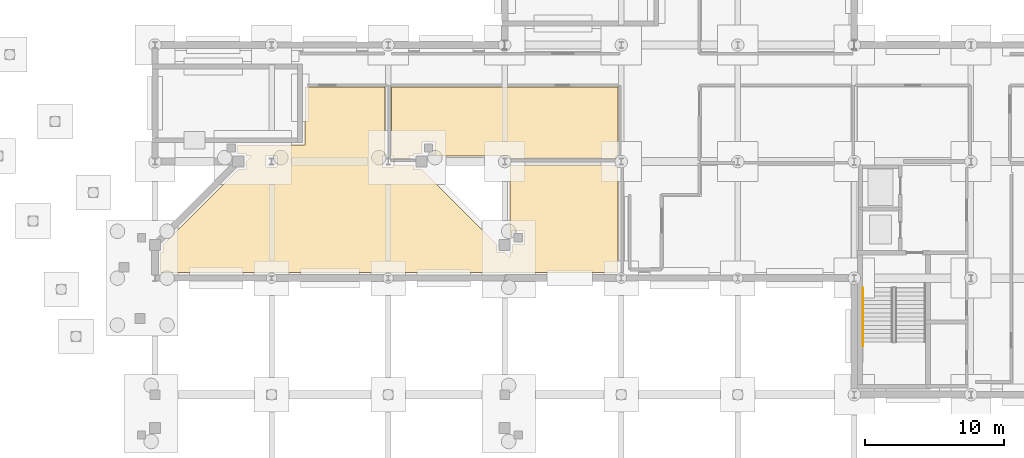
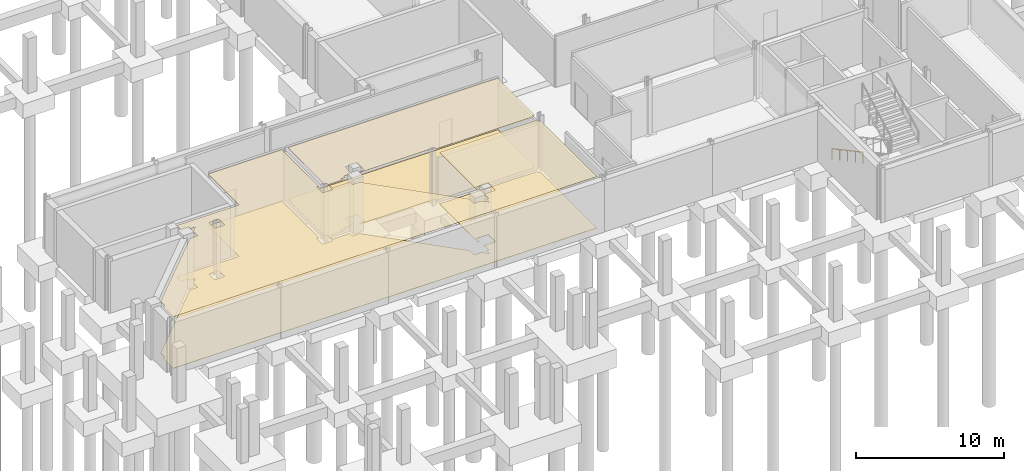
# One storey, part 35 of 43: 4 coverings, 1 railing.
"""IFC4 building model written with IfcOpenShell, lengths in metres."""

from ifc_helpers import new_model, si_unit, direction, frame, origin, origin_2d, place, context, subcontext, project, spatial, polyline, circle, outline, extrude, material, layer, layer_set, type_object, element, save


model = new_model("IFC4")

# Units and contexts
model_context = context("Model", 3, precision=1e-05, world=origin(), true_north=direction((0.0, 1.0)))
body_context = subcontext(model_context, "Body", "Model", "MODEL_VIEW")
ifc_project = project(units=[si_unit("LENGTHUNIT", "METRE"), si_unit("AREAUNIT", "SQUARE_METRE"), si_unit("VOLUMEUNIT", "CUBIC_METRE"), si_unit("PLANEANGLEUNIT", "RADIAN"), si_unit("MASSUNIT", "GRAM", prefix="KILO")], contexts=[model_context])

# Site, building, storey
site_placement = place(None, origin())
site = spatial("IfcSite", under=ifc_project, at=site_placement, CompositionType="ELEMENT")
building_placement = place(site_placement, origin())
building = spatial("IfcBuilding", under=site, at=building_placement, Name="Mersafa Astral City Hall", CompositionType="ELEMENT")
storey_placement = place(building_placement, frame((0.0, 0.0, -4.5)))
storey = spatial("IfcBuildingStorey", under=building, at=storey_placement, Name="B1", CompositionType="ELEMENT", Elevation=-4.5)

# Railing
ifc_material_1 = material(Name="Brushed stainless steel tubular handrail", Category="steel")
railing_type = type_object("IfcRailingType", Name="HANDRAIL", PredefinedType="HANDRAIL", material=ifc_material_1)
railing_placement = place(storey_placement, frame((118.22998046875, 16.10009765625, 0.16064453125)))
element("IfcRailing", 1, at=railing_placement, inside=storey, type_object=railing_type, Name="B1 ST5 stair handrail 1", PredefinedType="HANDRAIL", context=body_context, shape_type="SweptSolid", body=[
    extrude(circle(Radius=0.02392578125, at=origin_2d()), frame((0.0, 0.0, 0.8759765625), z_axis=(0.0, -0.881211791727, 0.472721670882), x_axis=(1.0, 0.0, 0.0)), (0.0, 0.0, 1.0), 4.766357421875),
    extrude(circle(Radius=0.02099609375, at=origin_2d()), origin(), (0.0, 0.0, 1.0), 0.851806640625),
    extrude(circle(Radius=0.02099609375, at=origin_2d()), frame((0.0, -1.050048828125, 0.563232421875)), (0.0, 0.0, 1.0), 0.851806640625),
    extrude(circle(Radius=0.02099609375, at=origin_2d()), frame((0.0, -2.10009765625, 1.12646484375)), (0.0, 0.0, 1.0), 0.851806640625),
    extrude(circle(Radius=0.02099609375, at=origin_2d()), frame((0.0, -3.150146484375, 1.68994140625)), (0.0, 0.0, 1.0), 0.851806640625),
    extrude(circle(Radius=0.02099609375, at=origin_2d()), frame((0.0, -4.2001953125, 2.253173828125)), (0.0, 0.0, 1.0), 0.851806640625),
])

# Coverings
ifc_material_2 = material(Name="Perforated acoustic gypsum board ceiling", Category="gypsum")
ifc_layer_1 = layer(ifc_material_2, 0.02490234375, Name="Perforated acoustic gypsum board ceiling")
ifc_layer_set_1 = layer_set([ifc_layer_1], Name="Perforated acoustic gypsum board ceiling — INT-COV-CEIL-25")
covering_type_1 = type_object("IfcCoveringType", Name="INT-COV-CEIL-25", PredefinedType="CEILING", material=ifc_layer_set_1)
covering_1_placement = place(storey_placement, frame((0.0, 0.0, 4.23095703125)))
element("IfcCovering", 2, at=covering_1_placement, inside=storey, type_object=covering_type_1, Name="B1 Bicycle & Staff Changing Room B1-10 acoustic ceiling", PredefinedType="CEILING", context=body_context, shape_type="SweptSolid", body=[
    extrude(outline(polyline([(84.39501953125, 25.429931640625), (84.39501953125, 25.594970703125), (84.22998046875, 25.594970703125), (84.22998046875, 30.56005859375), (100.570068359375, 30.56005859375), (100.570068359375, 25.594970703125), (100.405029296875, 25.594970703125), (100.405029296875, 25.429931640625), (92.800048828125, 25.429931640625), (92.800048828125, 25.60009765625), (86.969970703125, 25.60009765625), (86.969970703125, 25.704345703125), (87.38037109375, 25.704345703125), (87.38037109375, 26.644287109375), (86.4404296875, 26.644287109375), (86.4404296875, 25.77001953125), (85.830078125, 25.77001953125), (85.830078125, 25.60009765625), (85.434326171875, 25.60009765625), (85.604248046875, 25.429931640625), (84.39501953125, 25.429931640625)])), origin(), (0.0, 0.0, 1.0), 0.025146484375),
])
covering_2_placement = place(storey_placement, frame((0.0, 0.0, 4.23095703125)))
element("IfcCovering", 3, at=covering_2_placement, inside=storey, type_object=covering_type_1, Name="B1 Bicycle & Staff Changing Room B1-22 acoustic ceiling", PredefinedType="CEILING", context=body_context, shape_type="SweptSolid", body=[
    extrude(outline(polyline([(73.15966796875, 26.3798828125), (78.02001953125, 26.3798828125), (78.02001953125, 30.56005859375), (83.77001953125, 30.56005859375), (83.77001953125, 25.594970703125), (83.60498046875, 25.594970703125), (83.60498046875, 24.804931640625), (84.39501953125, 24.804931640625), (84.39501953125, 25.320068359375), (84.469970703125, 25.320068359375), (84.469970703125, 24.969970703125), (85.830078125, 24.969970703125), (85.830078125, 24.6298828125), (86.404296875, 24.6298828125), (91.830078125, 19.204345703125), (91.830078125, 18.6298828125), (92.404296875, 18.6298828125), (92.800048828125, 18.234375), (92.800048828125, 18.6298828125), (92.969970703125, 18.6298828125), (92.969970703125, 19.240478515625), (93.844482421875, 19.240478515625), (93.844482421875, 20.180419921875), (92.904296875, 20.180419921875), (92.904296875, 19.77001953125), (92.800048828125, 19.77001953125), (92.800048828125, 24.969970703125), (100.405029296875, 24.969970703125), (100.405029296875, 24.804931640625), (100.570068359375, 24.804931640625), (100.570068359375, 17.199951171875), (67.60009765625, 17.199951171875), (67.60009765625, 18.6298828125), (67.77001953125, 18.6298828125), (67.77001953125, 19.204345703125), (73.19580078125, 24.6298828125), (73.77001953125, 24.6298828125), (73.77001953125, 25.204345703125), (74.165771484375, 25.60009765625), (73.77001953125, 25.60009765625), (73.77001953125, 25.77001953125), (73.15966796875, 25.77001953125), (73.15966796875, 26.3798828125)]), holes=[polyline([(75.205078125, 24.804931640625), (75.9951171875, 24.804931640625), (75.9951171875, 25.594970703125), (75.205078125, 25.594970703125), (75.205078125, 24.804931640625)])]), origin(), (0.0, 0.0, 1.0), 0.025146484375),
])
ifc_material_3 = material(Name="Honed Cairo limestone terrazzo flooring", Category="masonry")
ifc_layer_2 = layer(ifc_material_3, 0.02001953125, Name="Honed Cairo limestone terrazzo flooring")
ifc_layer_set_2 = layer_set([ifc_layer_2], Name="Honed Cairo limestone terrazzo flooring — INT-COV-FLR-20")
covering_type_2 = type_object("IfcCoveringType", Name="INT-COV-FLR-20", PredefinedType="FLOORING", material=ifc_layer_set_2)
covering_3_placement = place(storey_placement, frame((0.0, 0.0, -0.00146484375)))
element("IfcCovering", 4, at=covering_3_placement, inside=storey, type_object=covering_type_2, Name="B1 Bicycle & Staff Changing Room B1-10 architectural flooring", PredefinedType="FLOORING", context=body_context, shape_type="SweptSolid", body=[
    extrude(outline(polyline([(84.39501953125, 25.429931640625), (84.39501953125, 25.594970703125), (84.22998046875, 25.594970703125), (84.22998046875, 30.56005859375), (100.570068359375, 30.56005859375), (100.570068359375, 25.594970703125), (100.405029296875, 25.594970703125), (100.405029296875, 25.429931640625), (92.800048828125, 25.429931640625), (92.800048828125, 25.60009765625), (86.969970703125, 25.60009765625), (86.969970703125, 25.704345703125), (87.38037109375, 25.704345703125), (87.38037109375, 26.644287109375), (86.4404296875, 26.644287109375), (86.4404296875, 25.77001953125), (85.830078125, 25.77001953125), (85.830078125, 25.60009765625), (85.434326171875, 25.60009765625), (85.604248046875, 25.429931640625), (84.39501953125, 25.429931640625)])), origin(), (0.0, 0.0, 1.0), 0.02001953125),
])
covering_4_placement = place(storey_placement, frame((0.0, 0.0, -0.00146484375)))
element("IfcCovering", 5, at=covering_4_placement, inside=storey, type_object=covering_type_2, Name="B1 Bicycle & Staff Changing Room B1-22 architectural flooring", PredefinedType="FLOORING", context=body_context, shape_type="SweptSolid", body=[
    extrude(outline(polyline([(73.15966796875, 26.3798828125), (78.02001953125, 26.3798828125), (78.02001953125, 30.56005859375), (83.77001953125, 30.56005859375), (83.77001953125, 25.594970703125), (83.60498046875, 25.594970703125), (83.60498046875, 24.804931640625), (84.39501953125, 24.804931640625), (84.39501953125, 25.320068359375), (84.469970703125, 25.320068359375), (84.469970703125, 24.969970703125), (85.830078125, 24.969970703125), (85.830078125, 24.6298828125), (86.404296875, 24.6298828125), (91.830078125, 19.204345703125), (91.830078125, 18.6298828125), (92.404296875, 18.6298828125), (92.800048828125, 18.234375), (92.800048828125, 18.6298828125), (92.969970703125, 18.6298828125), (92.969970703125, 19.240478515625), (93.844482421875, 19.240478515625), (93.844482421875, 20.180419921875), (92.904296875, 20.180419921875), (92.904296875, 19.77001953125), (92.800048828125, 19.77001953125), (92.800048828125, 24.969970703125), (100.405029296875, 24.969970703125), (100.405029296875, 24.804931640625), (100.570068359375, 24.804931640625), (100.570068359375, 17.199951171875), (67.60009765625, 17.199951171875), (67.60009765625, 18.6298828125), (67.77001953125, 18.6298828125), (67.77001953125, 19.204345703125), (73.19580078125, 24.6298828125), (73.77001953125, 24.6298828125), (73.77001953125, 25.204345703125), (74.165771484375, 25.60009765625), (73.77001953125, 25.60009765625), (73.77001953125, 25.77001953125), (73.15966796875, 25.77001953125), (73.15966796875, 26.3798828125)]), holes=[polyline([(75.205078125, 24.804931640625), (75.9951171875, 24.804931640625), (75.9951171875, 25.594970703125), (75.205078125, 25.594970703125), (75.205078125, 24.804931640625)])]), origin(), (0.0, 0.0, 1.0), 0.02001953125),
])

save(model, "model.ifc")
